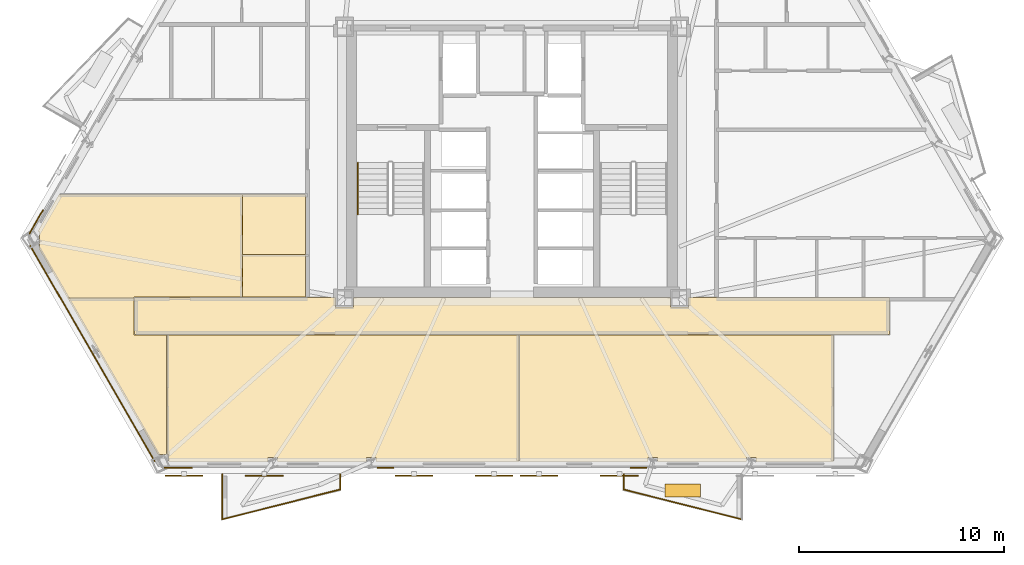
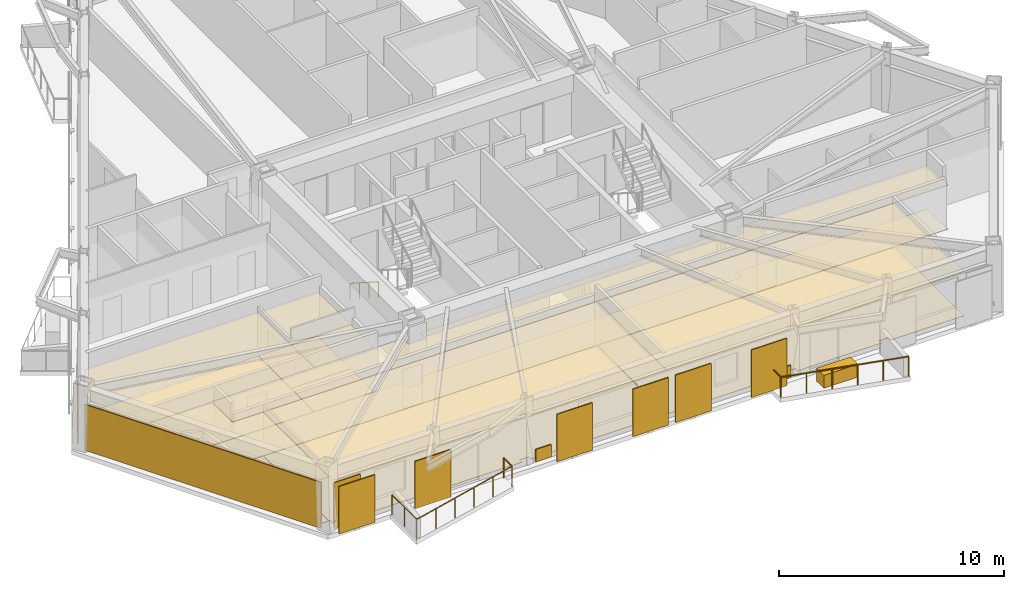
# One storey, part 8 of 11: 20 coverings, 6 railings, 6 shading devices.
"""IFC4 building model written with IfcOpenShell, lengths in metres."""

from ifc_helpers import new_model, si_unit, direction, frame, origin, origin_2d, place, context, subcontext, project, spatial, polyline, rectangle, circle, outline, extrude, material, layer, layer_set, type_object, element, save


model = new_model("IFC4")

# Units and contexts
model_context = context("Model", 3, precision=1e-05, world=origin(), true_north=direction((0.0, 1.0)))
body_context = subcontext(model_context, "Body", "Model", "MODEL_VIEW")
ifc_project = project(units=[si_unit("LENGTHUNIT", "METRE"), si_unit("AREAUNIT", "SQUARE_METRE"), si_unit("VOLUMEUNIT", "CUBIC_METRE"), si_unit("PLANEANGLEUNIT", "RADIAN"), si_unit("MASSUNIT", "GRAM", prefix="KILO")], contexts=[model_context])

# Site, building, storey
site_placement = place(None, origin())
site = spatial("IfcSite", under=ifc_project, at=site_placement, CompositionType="ELEMENT")
building_placement = place(site_placement, origin())
building = spatial("IfcBuilding", under=site, at=building_placement, Name="Oramaril Tower", CompositionType="ELEMENT")
storey_placement = place(building_placement, frame((0.0, 0.0, 86.10009765625)))
storey = spatial("IfcBuildingStorey", under=building, at=storey_placement, Name="L22", CompositionType="ELEMENT", Elevation=86.10009765625)

# Coverings
ifc_material_1 = material(Name="Mineral Fibre Acoustic Ceiling")
ifc_layer_1 = layer(ifc_material_1, 0.02001953125)
ifc_layer_set_1 = layer_set([ifc_layer_1], Name="CVT-CEIL")
covering_type_1 = type_object("IfcCoveringType", Name="CVT-CEIL", PredefinedType="CEILING", material=ifc_layer_set_1)
covering_1_placement = place(storey_placement, frame((0.0, 0.0, 2.39990234375)))
element("IfcCovering", 1, at=covering_1_placement, inside=storey, type_object=covering_type_1, Name="L22 Acoustic Suspended Ceiling 1", PredefinedType="CEILING", context=body_context, shape_type="SweptSolid", body=[
    extrude(outline(polyline([(28.905029296875, 10.554931640625), (29.794921875, 10.554931640625), (29.794921875, 11.030029296875), (45.205078125, 11.030029296875), (45.205078125, 10.554931640625), (46.094970703125, 10.554931640625), (46.094970703125, 11.030029296875), (55.8798828125, 11.030029296875), (55.8798828125, 9.219970703125), (19.1201171875, 9.219970703125), (19.1201171875, 11.030029296875), (28.905029296875, 11.030029296875), (28.905029296875, 10.554931640625)])), origin(), (0.0, 0.0, 1.0), 0.02001953125),
])
covering_2_placement = place(storey_placement, frame((0.0, 0.0, 2.39990234375)))
element("IfcCovering", 2, at=covering_2_placement, inside=storey, type_object=covering_type_1, Name="L22 Acoustic Suspended Ceiling 6", PredefinedType="CEILING", context=body_context, shape_type="SweptSolid", body=[
    extrude(outline(polyline([(30.884521484375, 3.24365234375), (30.422119140625, 3.24365234375), (30.422119140625, 3.038330078125), (26.09765625, 3.038330078125), (26.09765625, 3.24365234375), (25.62353515625, 3.24365234375), (25.62353515625, 3.038330078125), (20.77392578125, 3.038330078125), (20.77392578125, 3.390625), (20.712890625, 3.390625), (20.712890625, 9.199951171875), (37.842041015625, 9.199951171875), (37.842041015625, 3.038330078125), (30.884521484375, 3.038330078125), (30.884521484375, 3.24365234375)])), origin(), (0.0, 0.0, 1.0), 0.02001953125),
])
covering_3_placement = place(storey_placement, frame((0.0, 0.0, 2.39990234375)))
element("IfcCovering", 3, at=covering_3_placement, inside=storey, type_object=covering_type_1, Name="L22 Acoustic Suspended Ceiling 7", PredefinedType="CEILING", context=body_context, shape_type="SweptSolid", body=[
    extrude(outline(polyline([(20.262939453125, 3.390625), (15.874267578125, 10.991943359375), (19.10009765625, 10.991943359375), (19.10009765625, 9.219970703125), (19.10009765625, 9.218017578125), (19.100341796875, 9.216064453125), (19.100830078125, 9.214111328125), (19.1015625, 9.21240234375), (19.102294921875, 9.210693359375), (19.103515625, 9.208984375), (19.1044921875, 9.207275390625), (19.10595703125, 9.205810546875), (19.107421875, 9.20458984375), (19.10888671875, 9.203369140625), (19.110595703125, 9.202392578125), (19.1123046875, 9.201416015625), (19.1142578125, 9.200927734375), (19.1162109375, 9.200439453125), (19.117919921875, 9.2001953125), (19.1201171875, 9.199951171875), (20.69287109375, 9.199951171875), (20.69287109375, 3.390625), (20.262939453125, 3.390625)])), origin(), (0.0, 0.0, 1.0), 0.02001953125),
])
covering_4_placement = place(storey_placement, frame((0.0, 0.0, 2.39990234375)))
element("IfcCovering", 4, at=covering_4_placement, inside=storey, type_object=covering_type_1, Name="L22 Acoustic Suspended Ceiling 8", PredefinedType="CEILING", context=body_context, shape_type="SweptSolid", body=[
    extrude(outline(polyline([(49.37646484375, 3.038330078125), (49.37646484375, 3.24365234375), (48.90234375, 3.24365234375), (48.90234375, 3.038330078125), (44.577880859375, 3.038330078125), (44.577880859375, 3.24365234375), (44.115478515625, 3.24365234375), (44.115478515625, 3.038330078125), (37.862060546875, 3.038330078125), (37.862060546875, 9.199951171875), (53.14404296875, 9.199951171875), (53.14404296875, 3.038330078125), (49.37646484375, 3.038330078125)])), origin(), (0.0, 0.0, 1.0), 0.02001953125),
])
covering_5_placement = place(storey_placement, frame((0.0, 0.0, 2.39990234375)))
element("IfcCovering", 5, at=covering_5_placement, inside=storey, type_object=covering_type_1, Name="L22 Acoustic Suspended Ceiling 10", PredefinedType="CEILING", context=body_context, shape_type="SweptSolid", body=[
    extrude(outline(polyline([(24.3720703125, 11.050048828125), (19.1201171875, 11.050048828125), (19.117919921875, 11.0498046875), (19.1162109375, 11.049560546875), (19.1142578125, 11.049072265625), (19.1123046875, 11.048583984375), (19.110595703125, 11.047607421875), (19.10888671875, 11.046630859375), (19.107421875, 11.04541015625), (19.10595703125, 11.044189453125), (19.1044921875, 11.042724609375), (19.103515625, 11.041015625), (19.102294921875, 11.039306640625), (19.1015625, 11.03759765625), (19.100830078125, 11.035888671875), (19.100341796875, 11.033935546875), (19.10009765625, 11.031982421875), (19.10009765625, 11.030029296875), (19.10009765625, 11.011962890625), (15.874267578125, 11.011962890625), (15.872314453125, 11.011962890625), (15.870361328125, 11.01171875), (15.868408203125, 11.010986328125), (15.86669921875, 11.010498046875), (15.86474609375, 11.009521484375), (15.864501953125, 11.00927734375), (14.4677734375, 13.42822265625), (14.51025390625, 13.42822265625), (14.51025390625, 14.249267578125), (14.4208984375, 14.249267578125), (15.4560546875, 16.0419921875), (24.3720703125, 16.0419921875), (24.3720703125, 11.050048828125)])), origin(), (0.0, 0.0, 1.0), 0.02001953125),
])
covering_6_placement = place(storey_placement, frame((0.0, 0.0, 2.39990234375)))
element("IfcCovering", 6, at=covering_6_placement, inside=storey, type_object=covering_type_1, Name="L22 Acoustic Suspended Ceiling 11", PredefinedType="CEILING", context=body_context, shape_type="SweptSolid", body=[
    extrude(outline(polyline([(27.449951171875, 13.111572265625), (27.449951171875, 11.050048828125), (24.39208984375, 11.050048828125), (24.39208984375, 13.111572265625), (27.449951171875, 13.111572265625)])), origin(), (0.0, 0.0, 1.0), 0.02001953125),
])
covering_7_placement = place(storey_placement, frame((0.0, 0.0, 2.39990234375)))
element("IfcCovering", 7, at=covering_7_placement, inside=storey, type_object=covering_type_1, Name="L22 Acoustic Suspended Ceiling 12", PredefinedType="CEILING", context=body_context, shape_type="SweptSolid", body=[
    extrude(outline(polyline([(27.449951171875, 16.0419921875), (27.449951171875, 13.131591796875), (24.39208984375, 13.131591796875), (24.39208984375, 16.0419921875), (27.449951171875, 16.0419921875)])), origin(), (0.0, 0.0, 1.0), 0.02001953125),
])
ifc_material_2 = material(Name="Warm Cream Limestone", Category="masonry")
ifc_layer_2 = layer(ifc_material_2, 0.050048828125)
ifc_layer_set_2 = layer_set([ifc_layer_2], Name="CVT-CLD")
covering_type_2 = type_object("IfcCoveringType", Name="CVT-CLD", PredefinedType="CLADDING", material=ifc_layer_set_2)
covering_8_placement = place(storey_placement, frame((17.076171875, 8.308349609375, 0.039794921875), z_axis=(0.0, 0.0, 1.0), x_axis=(0.499996976998, -0.866027149108, 0.0)))
element("IfcCovering", 8, at=covering_8_placement, inside=storey, type_object=covering_type_2, Name="L22 Warm Cream Limestone Cladding", PredefinedType="CLADDING", context=body_context, shape_type="SweptSolid", body=[
    extrude(rectangle(XDim=12.142578125, YDim=0.050048828125, at=origin_2d()), origin(), (0.0, 0.0, 1.0), 2.498046875),
])
covering_9_placement = place(storey_placement, frame((21.25390625, 2.7373046875, 0.039794921875), z_axis=(0.0, 0.0, 1.0), x_axis=(1.0, 0.0, 0.0)))
element("IfcCovering", 9, at=covering_9_placement, inside=storey, type_object=covering_type_2, Name="L22 Warm Cream Limestone Cladding", PredefinedType="CLADDING", context=body_context, shape_type="SweptSolid", body=[
    extrude(rectangle(XDim=1.35009765625, YDim=0.050048828125, at=origin_2d()), origin(), (0.0, 0.0, 1.0), 2.498046875),
])
for number, where, z_axis, x_axis, name in (
    (10, (31.345458984375, 2.7373046875, 0.0400390625), (0.0, 0.0, 1.0), (1.0, 0.0, 0.0), "L22 Warm Cream Limestone Spandrel Cladding"),
    (11, (43.654541015625, 2.7373046875, 0.0400390625), (0.0, 0.0, 1.0), (1.0, 0.0, 0.0), "L22 Warm Cream Limestone Spandrel Cladding"),
):
    element("IfcCovering", number, at=place(storey_placement, frame(where, z_axis=z_axis, x_axis=x_axis)), inside=storey, type_object=covering_type_2, Name=name, PredefinedType="CLADDING", context=body_context, shape_type="SweptSolid", body=[
        extrude(rectangle(XDim=0.800048828125, YDim=0.050048828125, at=origin_2d()), origin(), (0.0, 0.0, 1.0), 0.679931640625),
    ])
covering_10_placement = place(storey_placement, frame((14.340576171875, 14.7119140625, 0.039794921875), z_axis=(0.0, 0.0, 1.0), x_axis=(-0.5, -0.866025403784, 0.0)))
element("IfcCovering", 12, at=covering_10_placement, inside=storey, type_object=covering_type_2, Name="L22 Warm Cream Limestone Cladding", PredefinedType="CLADDING", context=body_context, shape_type="SweptSolid", body=[
    extrude(rectangle(XDim=1.35009765625, YDim=0.050048828125, at=origin_2d()), origin(), (0.0, 0.0, 1.0), 2.498046875),
])
covering_11_placement = place(storey_placement, frame((45.8115234375, 1.6337890625, 0.0), z_axis=(0.0, 0.0, 1.0), x_axis=(1.0, 0.0, 0.0)))
element("IfcCovering", 13, at=covering_11_placement, inside=storey, type_object=covering_type_2, Name="L22 Structural Tree Planter Box L22-BAL-S2", PredefinedType="CLADDING", context=body_context, shape_type="SweptSolid", body=[
    extrude(rectangle(XDim=1.75, YDim=0.64990234375, at=origin_2d()), origin(), (0.0, 0.0, 1.0), 0.699951171875),
])
ifc_material_3 = material(Name="Honed Quartzite Stone Flooring", Category="masonry")
ifc_layer_3 = layer(ifc_material_3, 0.02490234375)
ifc_layer_set_3 = layer_set([ifc_layer_3], Name="CVT-FLR")
covering_type_3 = type_object("IfcCoveringType", Name="CVT-FLR", PredefinedType="FLOORING", material=ifc_layer_set_3)
covering_12_placement = place(storey_placement, origin())
element("IfcCovering", 14, at=covering_12_placement, inside=storey, type_object=covering_type_3, Name="L22 Honed Stone Floor Finish 1", PredefinedType="FLOORING", context=body_context, shape_type="SweptSolid", body=[
    extrude(outline(polyline([(28.905029296875, 10.554931640625), (29.794921875, 10.554931640625), (29.794921875, 11.030029296875), (45.205078125, 11.030029296875), (45.205078125, 10.554931640625), (46.094970703125, 10.554931640625), (46.094970703125, 11.030029296875), (55.8798828125, 11.030029296875), (55.8798828125, 9.219970703125), (19.1201171875, 9.219970703125), (19.1201171875, 11.030029296875), (28.905029296875, 11.030029296875), (28.905029296875, 10.554931640625)])), origin(), (0.0, 0.0, 1.0), 0.02490234375),
])
covering_13_placement = place(storey_placement, origin())
element("IfcCovering", 15, at=covering_13_placement, inside=storey, type_object=covering_type_3, Name="L22 Honed Stone Floor Finish 6", PredefinedType="FLOORING", context=body_context, shape_type="SweptSolid", body=[
    extrude(outline(polyline([(30.884521484375, 3.24365234375), (30.422119140625, 3.24365234375), (30.422119140625, 3.038330078125), (26.09765625, 3.038330078125), (26.09765625, 3.24365234375), (25.62353515625, 3.24365234375), (25.62353515625, 3.038330078125), (20.77392578125, 3.038330078125), (20.77392578125, 3.390625), (20.712890625, 3.390625), (20.712890625, 9.199951171875), (37.842041015625, 9.199951171875), (37.842041015625, 3.038330078125), (30.884521484375, 3.038330078125), (30.884521484375, 3.24365234375)])), origin(), (0.0, 0.0, 1.0), 0.02490234375),
])
covering_14_placement = place(storey_placement, origin())
element("IfcCovering", 16, at=covering_14_placement, inside=storey, type_object=covering_type_3, Name="L22 Honed Stone Floor Finish 7", PredefinedType="FLOORING", context=body_context, shape_type="SweptSolid", body=[
    extrude(outline(polyline([(20.262939453125, 3.390625), (15.874267578125, 10.991943359375), (19.10009765625, 10.991943359375), (19.10009765625, 9.219970703125), (19.10009765625, 9.218017578125), (19.100341796875, 9.216064453125), (19.100830078125, 9.214111328125), (19.1015625, 9.21240234375), (19.102294921875, 9.210693359375), (19.103515625, 9.208984375), (19.1044921875, 9.207275390625), (19.10595703125, 9.205810546875), (19.107421875, 9.20458984375), (19.10888671875, 9.203369140625), (19.110595703125, 9.202392578125), (19.1123046875, 9.201416015625), (19.1142578125, 9.200927734375), (19.1162109375, 9.200439453125), (19.117919921875, 9.2001953125), (19.1201171875, 9.199951171875), (20.69287109375, 9.199951171875), (20.69287109375, 3.390625), (20.262939453125, 3.390625)])), origin(), (0.0, 0.0, 1.0), 0.02490234375),
])
covering_15_placement = place(storey_placement, origin())
element("IfcCovering", 17, at=covering_15_placement, inside=storey, type_object=covering_type_3, Name="L22 Honed Stone Floor Finish 8", PredefinedType="FLOORING", context=body_context, shape_type="SweptSolid", body=[
    extrude(outline(polyline([(49.37646484375, 3.038330078125), (49.37646484375, 3.24365234375), (48.90234375, 3.24365234375), (48.90234375, 3.038330078125), (44.577880859375, 3.038330078125), (44.577880859375, 3.24365234375), (44.115478515625, 3.24365234375), (44.115478515625, 3.038330078125), (37.862060546875, 3.038330078125), (37.862060546875, 9.199951171875), (53.14404296875, 9.199951171875), (53.14404296875, 3.038330078125), (49.37646484375, 3.038330078125)])), origin(), (0.0, 0.0, 1.0), 0.02490234375),
])
covering_16_placement = place(storey_placement, origin())
element("IfcCovering", 18, at=covering_16_placement, inside=storey, type_object=covering_type_3, Name="L22 Honed Stone Floor Finish 10", PredefinedType="FLOORING", context=body_context, shape_type="SweptSolid", body=[
    extrude(outline(polyline([(24.3720703125, 11.050048828125), (19.1201171875, 11.050048828125), (19.117919921875, 11.0498046875), (19.1162109375, 11.049560546875), (19.1142578125, 11.049072265625), (19.1123046875, 11.048583984375), (19.110595703125, 11.047607421875), (19.10888671875, 11.046630859375), (19.107421875, 11.04541015625), (19.10595703125, 11.044189453125), (19.1044921875, 11.042724609375), (19.103515625, 11.041015625), (19.102294921875, 11.039306640625), (19.1015625, 11.03759765625), (19.100830078125, 11.035888671875), (19.100341796875, 11.033935546875), (19.10009765625, 11.031982421875), (19.10009765625, 11.030029296875), (19.10009765625, 11.011962890625), (15.874267578125, 11.011962890625), (15.872314453125, 11.011962890625), (15.870361328125, 11.01171875), (15.868408203125, 11.010986328125), (15.86669921875, 11.010498046875), (15.86474609375, 11.009521484375), (15.864501953125, 11.00927734375), (14.4677734375, 13.42822265625), (14.51025390625, 13.42822265625), (14.51025390625, 14.249267578125), (14.4208984375, 14.249267578125), (15.4560546875, 16.0419921875), (24.3720703125, 16.0419921875), (24.3720703125, 11.050048828125)])), origin(), (0.0, 0.0, 1.0), 0.02490234375),
])
covering_17_placement = place(storey_placement, origin())
element("IfcCovering", 19, at=covering_17_placement, inside=storey, type_object=covering_type_3, Name="L22 Honed Stone Floor Finish 11", PredefinedType="FLOORING", context=body_context, shape_type="SweptSolid", body=[
    extrude(outline(polyline([(27.449951171875, 13.111572265625), (27.449951171875, 11.050048828125), (24.39208984375, 11.050048828125), (24.39208984375, 13.111572265625), (27.449951171875, 13.111572265625)])), origin(), (0.0, 0.0, 1.0), 0.02490234375),
])
covering_18_placement = place(storey_placement, origin())
element("IfcCovering", 20, at=covering_18_placement, inside=storey, type_object=covering_type_3, Name="L22 Honed Stone Floor Finish 12", PredefinedType="FLOORING", context=body_context, shape_type="SweptSolid", body=[
    extrude(outline(polyline([(27.449951171875, 16.0419921875), (27.449951171875, 13.131591796875), (24.39208984375, 13.131591796875), (24.39208984375, 16.0419921875), (27.449951171875, 16.0419921875)])), origin(), (0.0, 0.0, 1.0), 0.02490234375),
])

# Railings
ifc_material_4 = material(Name="Stainless Steel 316L", Category="steel")
railing_type_1 = type_object("IfcRailingType", Name="RLT-GRD", PredefinedType="GUARDRAIL", material=ifc_material_4)
railing_1_placement = place(storey_placement, frame((29.12841796875, 2.42236328125, 0.0)))
element("IfcRailing", 21, at=railing_1_placement, inside=storey, type_object=railing_type_1, Name="L22 Balcony Guardrail L22-BAL-S1.1", PredefinedType="GUARDRAIL", context=body_context, shape_type="SweptSolid", body=[
    extrude(circle(Radius=0.02392578125, at=origin_2d()), frame((0.0, 0.0, 1.076171875), z_axis=(0.0, -1.0, 0.0), x_axis=(1.0, 0.0, 0.0)), (0.0, 0.0, 1.0), 0.741943359375),
    extrude(circle(Radius=0.02099609375, at=origin_2d()), origin(), (0.0, 0.0, 1.0), 1.052001953125),
    extrude(circle(Radius=0.02099609375, at=origin_2d()), frame((0.0, -0.741943359375, 0.0)), (0.0, 0.0, 1.0), 1.052001953125),
])
railing_2_placement = place(storey_placement, frame((29.12841796875, 1.680419921875, 0.0)))
element("IfcRailing", 22, at=railing_2_placement, inside=storey, type_object=railing_type_1, Name="L22 Balcony Guardrail L22-BAL-S1.2", PredefinedType="GUARDRAIL", context=body_context, shape_type="SweptSolid", body=[
    extrude(circle(Radius=0.02392578125, at=origin_2d()), frame((0.0, 0.0, 1.076171875), z_axis=(-0.969443611257, -0.245314256807, 0.0), x_axis=(0.245314256807, -0.969443611257, 0.0)), (0.0, 0.0, 1.0), 5.91064453125),
    extrude(circle(Radius=0.02099609375, at=origin_2d()), origin(), (0.0, 0.0, 1.0), 1.052001953125),
    extrude(circle(Radius=0.02099609375, at=origin_2d()), frame((-1.14599609375, -0.2900390625, 0.0)), (0.0, 0.0, 1.0), 1.052001953125),
    extrude(circle(Radius=0.02099609375, at=origin_2d()), frame((-2.2919921875, -0.580078125, 0.0)), (0.0, 0.0, 1.0), 1.052001953125),
    extrude(circle(Radius=0.02099609375, at=origin_2d()), frame((-3.43798828125, -0.869873046875, 0.0)), (0.0, 0.0, 1.0), 1.052001953125),
    extrude(circle(Radius=0.02099609375, at=origin_2d()), frame((-4.583984375, -1.159912109375, 0.0)), (0.0, 0.0, 1.0), 1.052001953125),
    extrude(circle(Radius=0.02099609375, at=origin_2d()), frame((-5.72998046875, -1.449951171875, 0.0)), (0.0, 0.0, 1.0), 1.052001953125),
])
railing_3_placement = place(storey_placement, frame((23.3984375, 0.23046875, 0.0)))
element("IfcRailing", 23, at=railing_3_placement, inside=storey, type_object=railing_type_1, Name="L22 Balcony Guardrail L22-BAL-S1.3", PredefinedType="GUARDRAIL", context=body_context, shape_type="SweptSolid", body=[
    extrude(circle(Radius=0.02392578125, at=origin_2d()), frame((0.0, 0.0, 1.076171875), z_axis=(0.0, 1.0, 0.0), x_axis=(-1.0, 0.0, 0.0)), (0.0, 0.0, 1.0), 2.19189453125),
    extrude(circle(Radius=0.02099609375, at=origin_2d()), origin(), (0.0, 0.0, 1.0), 1.052001953125),
    extrude(circle(Radius=0.02099609375, at=origin_2d()), frame((0.0, 1.095947265625, 0.0)), (0.0, 0.0, 1.0), 1.052001953125),
    extrude(circle(Radius=0.02099609375, at=origin_2d()), frame((0.0, 2.19189453125, 0.0)), (0.0, 0.0, 1.0), 1.052001953125),
])
railing_4_placement = place(storey_placement, frame((48.676513671875, 0.23046875, 0.0)))
element("IfcRailing", 24, at=railing_4_placement, inside=storey, type_object=railing_type_1, Name="L22 Balcony Guardrail L22-BAL-S2.2", PredefinedType="GUARDRAIL", context=body_context, shape_type="SweptSolid", body=[
    extrude(circle(Radius=0.02392578125, at=origin_2d()), frame((0.0, 0.0, 1.076171875), z_axis=(-0.969443611257, 0.245314256807, 0.0), x_axis=(-0.245314256807, -0.969443611257, 0.0)), (0.0, 0.0, 1.0), 5.91064453125),
    extrude(circle(Radius=0.02099609375, at=origin_2d()), origin(), (0.0, 0.0, 1.0), 1.052001953125),
    extrude(circle(Radius=0.02099609375, at=origin_2d()), frame((-1.14599609375, 0.2900390625, 0.0)), (0.0, 0.0, 1.0), 1.052001953125),
    extrude(circle(Radius=0.02099609375, at=origin_2d()), frame((-2.2919921875, 0.580078125, 0.0)), (0.0, 0.0, 1.0), 1.052001953125),
    extrude(circle(Radius=0.02099609375, at=origin_2d()), frame((-3.43798828125, 0.869873046875, 0.0)), (0.0, 0.0, 1.0), 1.052001953125),
    extrude(circle(Radius=0.02099609375, at=origin_2d()), frame((-4.583984375, 1.159912109375, 0.0)), (0.0, 0.0, 1.0), 1.052001953125),
    extrude(circle(Radius=0.02099609375, at=origin_2d()), frame((-5.72998046875, 1.449951171875, 0.0)), (0.0, 0.0, 1.0), 1.052001953125),
])
railing_5_placement = place(storey_placement, frame((42.946533203125, 1.680419921875, 0.0)))
element("IfcRailing", 25, at=railing_5_placement, inside=storey, type_object=railing_type_1, Name="L22 Balcony Guardrail L22-BAL-S2.3", PredefinedType="GUARDRAIL", context=body_context, shape_type="SweptSolid", body=[
    extrude(circle(Radius=0.02392578125, at=origin_2d()), frame((0.0, 0.0, 1.076171875), z_axis=(0.0, 1.0, 0.0), x_axis=(-1.0, 0.0, 0.0)), (0.0, 0.0, 1.0), 0.741943359375),
    extrude(circle(Radius=0.02099609375, at=origin_2d()), origin(), (0.0, 0.0, 1.0), 1.052001953125),
    extrude(circle(Radius=0.02099609375, at=origin_2d()), frame((0.0, 0.741943359375, 0.0)), (0.0, 0.0, 1.0), 1.052001953125),
])
ifc_material_5 = material(Name="Stainless Steel 316L", Category="steel")
railing_type_2 = type_object("IfcRailingType", Name="RLT-HND", PredefinedType="HANDRAIL", material=ifc_material_5)
railing_6_placement = place(storey_placement, frame((30.0, 17.590087890625, 0.179931640625)))
element("IfcRailing", 26, at=railing_6_placement, inside=storey, type_object=railing_type_2, Name="L22 ST-1 stair handrail 1", PredefinedType="HANDRAIL", context=body_context, shape_type="SweptSolid", body=[
    extrude(circle(Radius=0.02392578125, at=origin_2d()), frame((0.0, 0.0, 0.8759765625), z_axis=(0.0, -0.841199657755, 0.540724639528), x_axis=(1.0, 0.0, 0.0)), (0.0, 0.0, 1.0), 2.995849609375),
    extrude(circle(Radius=0.02099609375, at=origin_2d()), origin(), (0.0, 0.0, 1.0), 0.851806640625),
    extrude(circle(Radius=0.02099609375, at=origin_2d()), frame((0.0, -0.840087890625, 0.5400390625)), (0.0, 0.0, 1.0), 0.851806640625),
    extrude(circle(Radius=0.02099609375, at=origin_2d()), frame((0.0, -1.679931640625, 1.079833984375)), (0.0, 0.0, 1.0), 0.851806640625),
    extrude(circle(Radius=0.02099609375, at=origin_2d()), frame((0.0, -2.52001953125, 1.619873046875)), (0.0, 0.0, 1.0), 0.851806640625),
])

# Shading devices
for number, where, z_axis, x_axis, name in (
    (27, (21.541259765625, 2.350341796875, -0.02001953125), (0.0, 0.0, 1.0), (1.0, 0.0, 0.0), "L22 Perforated Ceramic Solar Screen"),
    (28, (25.44140625, 2.350341796875, -0.02001953125), (0.0, 0.0, 1.0), (1.0, 0.0, 0.0), "L22 Perforated Ceramic Solar Screen"),
    (29, (32.7275390625, 2.350341796875, -0.02001953125), (0.0, 0.0, 1.0), (1.0, 0.0, 0.0), "L22 Perforated Ceramic Solar Screen"),
    (30, (36.627685546875, 2.350341796875, -0.02001953125), (0.0, 0.0, 1.0), (1.0, 0.0, 0.0), "L22 Perforated Ceramic Solar Screen"),
    (31, (38.822509765625, 2.350341796875, -0.02001953125), (0.0, 0.0, 1.0), (1.0, 0.0, 0.0), "L22 Perforated Ceramic Solar Screen"),
    (32, (42.722412109375, 2.350341796875, -0.02001953125), (0.0, 0.0, 1.0), (1.0, 0.0, 0.0), "L22 Perforated Ceramic Solar Screen"),
):
    element("IfcShadingDevice", number, at=place(storey_placement, frame(where, z_axis=z_axis, x_axis=x_axis)), inside=storey, Name=name, ObjectType="SCREEN", PredefinedType="USERDEFINED", context=body_context, shape_type="SweptSolid", body=[
        extrude(rectangle(XDim=1.8330078125, YDim=0.050048828125, at=origin_2d()), origin(), (0.0, 0.0, 1.0), 2.577880859375),
    ])

save(model, "model.ifc")
